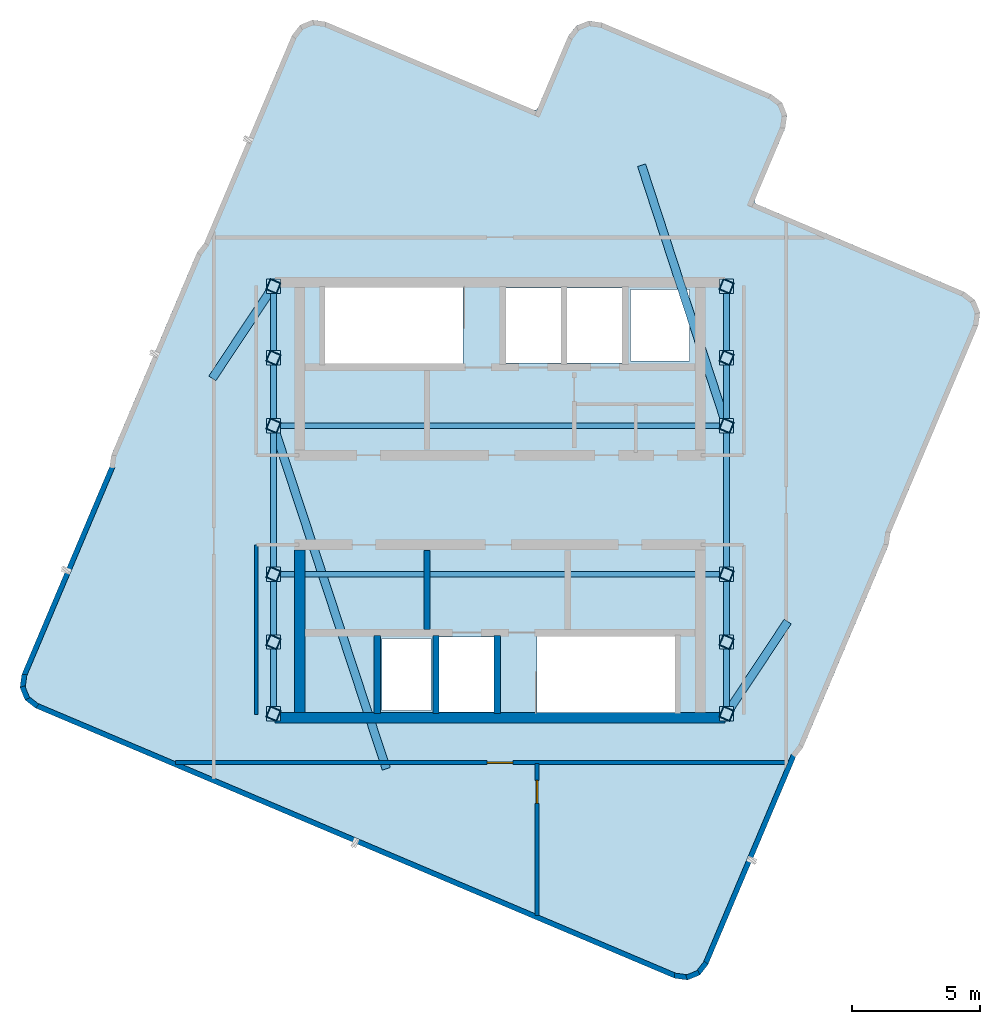
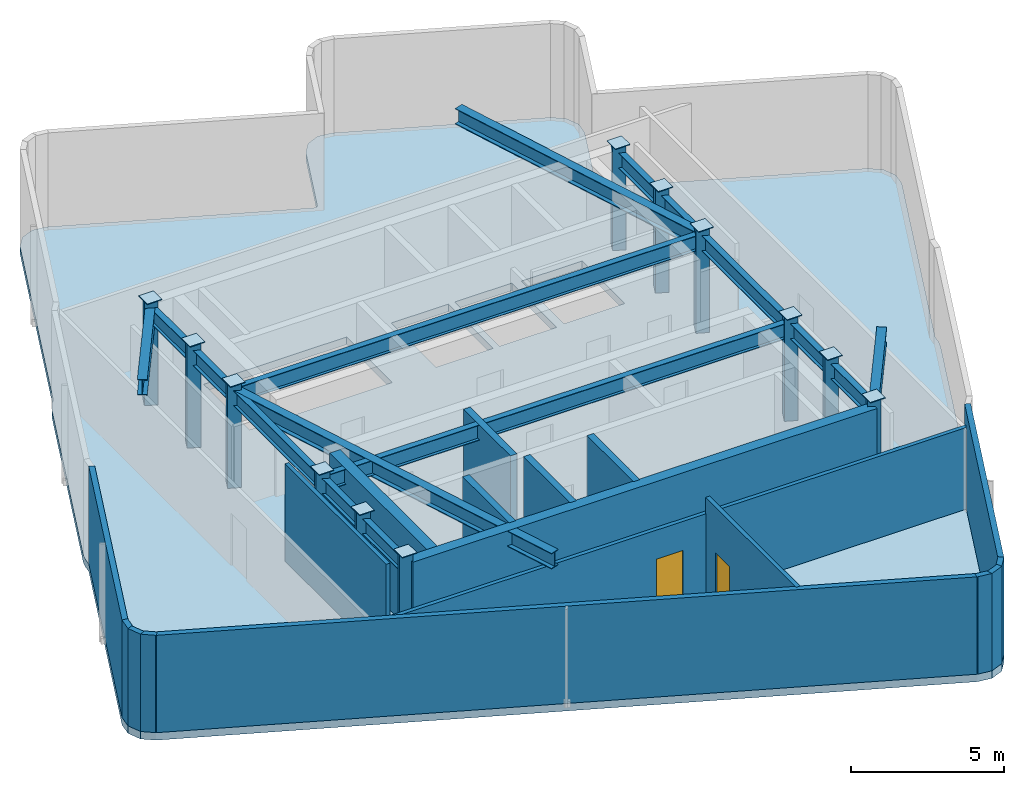
# One storey, part 1 of 4: 18 walls, 16 beams, 12 columns, 12 plates, 2 doors, 1 slab, 2 openings.
"""IFC4 building model written with IfcOpenShell, lengths in metres."""

from ifc_helpers import new_model, si_unit, direction, frame, frame_2d, origin, origin_2d, place, context, subcontext, project, spatial, polyline, rectangle, hollow_rectangle, i_section, outline, extrude, material, layer, layer_set, material_profile, profile_set, type_object, element, fill, save


model = new_model("IFC4")

# Units and contexts
model_context = context("Model", 3, precision=1e-05, world=origin(), true_north=direction((0.0, 1.0)))
body_context = subcontext(model_context, "Body", "Model", "MODEL_VIEW")
ifc_project = project(units=[si_unit("LENGTHUNIT", "METRE"), si_unit("AREAUNIT", "SQUARE_METRE"), si_unit("VOLUMEUNIT", "CUBIC_METRE"), si_unit("PLANEANGLEUNIT", "RADIAN"), si_unit("MASSUNIT", "GRAM", prefix="KILO")], contexts=[model_context])

# Site, building, storey
site_placement = place(None, origin())
site = spatial("IfcSite", under=ifc_project, at=site_placement, CompositionType="ELEMENT")
building_placement = place(site_placement, origin())
building = spatial("IfcBuilding", under=site, at=building_placement, Name="Solmarez Civic Tower", CompositionType="ELEMENT")
storey_placement = place(building_placement, frame((0.0, 0.0, 301.679931640625)))
storey = spatial("IfcBuildingStorey", under=building, at=storey_placement, Name="L81 Crown", CompositionType="ELEMENT", Elevation=301.679931640625)

# Columns
ifc_material_1 = material(Name="Steel S355", Category="steel")
ifc_material_profile_1 = material_profile(ifc_material_1, hollow_rectangle(XDim=0.449951171875, YDim=0.449951171875, WallThickness=0.02197265625, at=origin_2d()), Name="HSS450X450X22")
ifc_profile_set_1 = profile_set([ifc_material_profile_1], Name="Steel S355")
column_type = type_object("IfcColumnType", Name="COL-HSS450", PredefinedType="COLUMN", material=ifc_profile_set_1)
for number, where, z_axis, x_axis, name in (
    (1, (-8.85009765625, -5.550048828125, 0.0), (0.0, 0.0, 1.0), (0.389445480794, 0.921049519564, 0.0), "L81 Crown Structural Column HC1"),
    (2, (-8.85009765625, -2.89990234375, 0.0), (0.0, 0.0, 1.0), (0.389445480794, 0.921049519564, 0.0), "L81 Crown Structural Column HC2"),
    (3, (-8.85009765625, 2.89990234375, 0.0), (0.0, 0.0, 1.0), (0.389445480794, 0.921049519564, 0.0), "L81 Crown Structural Column HC3"),
    (4, (-8.85009765625, 5.550048828125, 0.0), (0.0, 0.0, 1.0), (0.389445480794, 0.921049519564, 0.0), "L81 Crown Structural Column HC4"),
    (5, (8.85009765625, -5.550048828125, 0.0), (0.0, 0.0, 1.0), (0.389445480794, 0.921049519564, 0.0), "L81 Crown Structural Column HC5"),
    (6, (8.85009765625, -2.89990234375, 0.0), (0.0, 0.0, 1.0), (0.389445480794, 0.921049519564, 0.0), "L81 Crown Structural Column HC6"),
    (7, (8.85009765625, 2.89990234375, 0.0), (0.0, 0.0, 1.0), (0.389445480794, 0.921049519564, 0.0), "L81 Crown Structural Column HC7"),
    (8, (8.85009765625, 5.550048828125, 0.0), (0.0, 0.0, 1.0), (0.389445480794, 0.921049519564, 0.0), "L81 Crown Structural Column HC8"),
    (9, (-8.85009765625, 8.35009765625, 0.0), (0.0, 0.0, 1.0), (0.389445480794, 0.921049519564, 0.0), "L81 Crown Structural Column HC9"),
    (10, (8.85009765625, -8.35009765625, 0.0), (0.0, 0.0, 1.0), (0.389445480794, 0.921049519564, 0.0), "L81 Crown Structural Column HC10"),
    (11, (8.85009765625, 8.35009765625, 0.0), (0.0, 0.0, 1.0), (0.389445480794, 0.921049519564, 0.0), "L81 Crown Structural Column HC11"),
    (12, (-8.85009765625, -8.35009765625, 0.0), (0.0, 0.0, 1.0), (0.389445480794, 0.921049519564, 0.0), "L81 Crown Structural Column HC12"),
):
    element("IfcColumn", number, at=place(storey_placement, frame(where, z_axis=z_axis, x_axis=x_axis)), inside=storey, type_object=column_type, Name=name, PredefinedType="COLUMN", context=body_context, shape_type="SweptSolid", body=[
        extrude(hollow_rectangle(XDim=0.449951171875, YDim=0.449951171875, WallThickness=0.02197265625, at=origin_2d()), origin(), (0.0, 0.0, 1.0), 4.14013671875),
    ])

# Beams
ifc_material_profile_2 = material_profile(ifc_material_1, i_section(OverallWidth=0.327880859375, OverallDepth=0.6220703125, WebThickness=0.015380859375, FlangeThickness=0.0244140625, at=origin_2d()), Name="W24X131")
ifc_profile_set_2 = profile_set([ifc_material_profile_2], Name="Steel S355")
beam_type_1 = type_object("IfcBeamType", Name="BM-PR-W24X131", PredefinedType="BEAM", material=ifc_profile_set_2)
beam_1_placement = place(storey_placement, frame((8.85009765625, 2.89990234375, 3.5791015625), z_axis=(-0.310085118895, 0.950708798234, 0.0), x_axis=(-0.950708798234, -0.310085118895, 0.0)))
element("IfcBeam", 13, at=beam_1_placement, inside=storey, type_object=beam_type_1, Name="L81 Crown Primary Floor Beam BM-L81 Crown-CR-E2", PredefinedType="BEAM", context=body_context, shape_type="SweptSolid", body=[
    extrude(i_section(OverallWidth=0.327880859375, OverallDepth=0.6220703125, WebThickness=0.015380859375, FlangeThickness=0.0244140625, at=origin_2d()), origin(), (0.0, 0.0, 1.0), 10.70703125),
])
beam_2_placement = place(storey_placement, frame((-8.85009765625, 8.35009765625, 3.5791015625), z_axis=(-0.55270262452, -0.833378550749, 0.0), x_axis=(0.833378550749, -0.55270262452, 0.0)))
element("IfcBeam", 14, at=beam_2_placement, inside=storey, type_object=beam_type_1, Name="L81 Crown Primary Floor Beam BM-L81 Crown-CR-N2", PredefinedType="BEAM", context=body_context, shape_type="SweptSolid", body=[
    extrude(i_section(OverallWidth=0.327880859375, OverallDepth=0.6220703125, WebThickness=0.015380859375, FlangeThickness=0.0244140625, at=origin_2d()), origin(), (0.0, 0.0, 1.0), 4.318603515625),
])
beam_3_placement = place(storey_placement, frame((-8.85009765625, 2.89990234375, 3.5791015625), z_axis=(0.312622298546, -0.949877517605, 0.0), x_axis=(0.949877517605, 0.312622298546, 0.0)))
element("IfcBeam", 15, at=beam_3_placement, inside=storey, type_object=beam_type_1, Name="L81 Crown Primary Floor Beam BM-L81 Crown-CR-W1", PredefinedType="BEAM", context=body_context, shape_type="SweptSolid", body=[
    extrude(i_section(OverallWidth=0.327880859375, OverallDepth=0.6220703125, WebThickness=0.015380859375, FlangeThickness=0.0244140625, at=origin_2d()), origin(), (0.0, 0.0, 1.0), 14.10693359375),
])
beam_4_placement = place(storey_placement, frame((8.85009765625, -8.35009765625, 3.5791015625), z_axis=(0.55270262452, 0.833378550749, 0.0), x_axis=(-0.833378550749, 0.55270262452, 0.0)))
element("IfcBeam", 16, at=beam_4_placement, inside=storey, type_object=beam_type_1, Name="L81 Crown Primary Floor Beam BM-L81 Crown-CR-S2", PredefinedType="BEAM", context=body_context, shape_type="SweptSolid", body=[
    extrude(i_section(OverallWidth=0.327880859375, OverallDepth=0.6220703125, WebThickness=0.015380859375, FlangeThickness=0.0244140625, at=origin_2d()), origin(), (0.0, 0.0, 1.0), 4.318603515625),
])
ifc_material_profile_3 = material_profile(ifc_material_1, i_section(OverallWidth=0.22900390625, OverallDepth=0.612060546875, WebThickness=0.011962890625, FlangeThickness=0.01953125, at=origin_2d()), Name="W24X84")
ifc_profile_set_3 = profile_set([ifc_material_profile_3], Name="Steel S355")
beam_type_2 = type_object("IfcBeamType", Name="BM-SP-W24X84", PredefinedType="SPANDREL", material=ifc_profile_set_3)
beam_5_placement = place(storey_placement, frame((-8.85009765625, -8.35009765625, 3.583984375), z_axis=(0.0, 1.0, 0.0), x_axis=(-1.0, 0.0, 0.0)))
element("IfcBeam", 17, at=beam_5_placement, inside=storey, type_object=beam_type_2, Name="L81 Crown Perimeter Spandrel Beam BM-L81 Crown-HC12-HC1", PredefinedType="SPANDREL", context=body_context, shape_type="SweptSolid", body=[
    extrude(i_section(OverallWidth=0.22900390625, OverallDepth=0.612060546875, WebThickness=0.011962890625, FlangeThickness=0.01953125, at=origin_2d()), origin(), (0.0, 0.0, 1.0), 2.800048828125),
])
beam_6_placement = place(storey_placement, frame((-8.85009765625, -5.550048828125, 3.583984375), z_axis=(0.0, 1.0, 0.0), x_axis=(-1.0, 0.0, 0.0)))
element("IfcBeam", 18, at=beam_6_placement, inside=storey, type_object=beam_type_2, Name="L81 Crown Perimeter Spandrel Beam BM-L81 Crown-HC1-HC2", PredefinedType="SPANDREL", context=body_context, shape_type="SweptSolid", body=[
    extrude(i_section(OverallWidth=0.22900390625, OverallDepth=0.612060546875, WebThickness=0.011962890625, FlangeThickness=0.01953125, at=origin_2d()), origin(), (0.0, 0.0, 1.0), 2.650146484375),
])
beam_7_placement = place(storey_placement, frame((-8.85009765625, -2.89990234375, 3.583984375), z_axis=(0.0, 1.0, 0.0), x_axis=(-1.0, 0.0, 0.0)))
element("IfcBeam", 19, at=beam_7_placement, inside=storey, type_object=beam_type_2, Name="L81 Crown Perimeter Spandrel Beam BM-L81 Crown-HC2-HC3", PredefinedType="SPANDREL", context=body_context, shape_type="SweptSolid", body=[
    extrude(i_section(OverallWidth=0.22900390625, OverallDepth=0.612060546875, WebThickness=0.011962890625, FlangeThickness=0.01953125, at=origin_2d()), origin(), (0.0, 0.0, 1.0), 5.7998046875),
])
beam_8_placement = place(storey_placement, frame((-8.85009765625, 2.89990234375, 3.583984375), z_axis=(0.0, 1.0, 0.0), x_axis=(-1.0, 0.0, 0.0)))
element("IfcBeam", 20, at=beam_8_placement, inside=storey, type_object=beam_type_2, Name="L81 Crown Perimeter Spandrel Beam BM-L81 Crown-HC3-HC4", PredefinedType="SPANDREL", context=body_context, shape_type="SweptSolid", body=[
    extrude(i_section(OverallWidth=0.22900390625, OverallDepth=0.612060546875, WebThickness=0.011962890625, FlangeThickness=0.01953125, at=origin_2d()), origin(), (0.0, 0.0, 1.0), 2.650146484375),
])
for number, where, z_axis, x_axis, name in (
    (21, (-8.85009765625, 5.550048828125, 3.583984375), (0.0, 1.0, 0.0), (-1.0, 0.0, 0.0), "L81 Crown Perimeter Spandrel Beam BM-L81 Crown-HC4-HC9"),
    (22, (8.85009765625, -8.35009765625, 3.583984375), (0.0, 1.0, 0.0), (-1.0, 0.0, 0.0), "L81 Crown Perimeter Spandrel Beam BM-L81 Crown-HC10-HC5"),
):
    element("IfcBeam", number, at=place(storey_placement, frame(where, z_axis=z_axis, x_axis=x_axis)), inside=storey, type_object=beam_type_2, Name=name, PredefinedType="SPANDREL", context=body_context, shape_type="SweptSolid", body=[
        extrude(i_section(OverallWidth=0.22900390625, OverallDepth=0.612060546875, WebThickness=0.011962890625, FlangeThickness=0.01953125, at=origin_2d()), origin(), (0.0, 0.0, 1.0), 2.800048828125),
    ])
beam_9_placement = place(storey_placement, frame((8.85009765625, -5.550048828125, 3.583984375), z_axis=(0.0, 1.0, 0.0), x_axis=(-1.0, 0.0, 0.0)))
element("IfcBeam", 23, at=beam_9_placement, inside=storey, type_object=beam_type_2, Name="L81 Crown Perimeter Spandrel Beam BM-L81 Crown-HC5-HC6", PredefinedType="SPANDREL", context=body_context, shape_type="SweptSolid", body=[
    extrude(i_section(OverallWidth=0.22900390625, OverallDepth=0.612060546875, WebThickness=0.011962890625, FlangeThickness=0.01953125, at=origin_2d()), origin(), (0.0, 0.0, 1.0), 2.650146484375),
])
beam_10_placement = place(storey_placement, frame((8.85009765625, -2.89990234375, 3.583984375), z_axis=(0.0, 1.0, 0.0), x_axis=(-1.0, 0.0, 0.0)))
element("IfcBeam", 24, at=beam_10_placement, inside=storey, type_object=beam_type_2, Name="L81 Crown Perimeter Spandrel Beam BM-L81 Crown-HC6-HC7", PredefinedType="SPANDREL", context=body_context, shape_type="SweptSolid", body=[
    extrude(i_section(OverallWidth=0.22900390625, OverallDepth=0.612060546875, WebThickness=0.011962890625, FlangeThickness=0.01953125, at=origin_2d()), origin(), (0.0, 0.0, 1.0), 5.7998046875),
])
beam_11_placement = place(storey_placement, frame((8.85009765625, 2.89990234375, 3.583984375), z_axis=(0.0, 1.0, 0.0), x_axis=(-1.0, 0.0, 0.0)))
element("IfcBeam", 25, at=beam_11_placement, inside=storey, type_object=beam_type_2, Name="L81 Crown Perimeter Spandrel Beam BM-L81 Crown-HC7-HC8", PredefinedType="SPANDREL", context=body_context, shape_type="SweptSolid", body=[
    extrude(i_section(OverallWidth=0.22900390625, OverallDepth=0.612060546875, WebThickness=0.011962890625, FlangeThickness=0.01953125, at=origin_2d()), origin(), (0.0, 0.0, 1.0), 2.650146484375),
])
beam_12_placement = place(storey_placement, frame((8.85009765625, 5.550048828125, 3.583984375), z_axis=(0.0, 1.0, 0.0), x_axis=(-1.0, 0.0, 0.0)))
element("IfcBeam", 26, at=beam_12_placement, inside=storey, type_object=beam_type_2, Name="L81 Crown Perimeter Spandrel Beam BM-L81 Crown-HC8-HC11", PredefinedType="SPANDREL", context=body_context, shape_type="SweptSolid", body=[
    extrude(i_section(OverallWidth=0.22900390625, OverallDepth=0.612060546875, WebThickness=0.011962890625, FlangeThickness=0.01953125, at=origin_2d()), origin(), (0.0, 0.0, 1.0), 2.800048828125),
])
for number, where, z_axis, x_axis, name in (
    (27, (-8.85009765625, -2.89990234375, 3.583984375), (1.0, 0.0, 0.0), (0.0, 1.0, 0.0), "L81 Crown Perimeter Spandrel Beam BM-L81 Crown-HC2-HC6"),
    (28, (-8.85009765625, 2.89990234375, 3.583984375), (1.0, 0.0, 0.0), (0.0, 1.0, 0.0), "L81 Crown Perimeter Spandrel Beam BM-L81 Crown-HC3-HC7"),
):
    element("IfcBeam", number, at=place(storey_placement, frame(where, z_axis=z_axis, x_axis=x_axis)), inside=storey, type_object=beam_type_2, Name=name, PredefinedType="SPANDREL", context=body_context, shape_type="SweptSolid", body=[
        extrude(i_section(OverallWidth=0.22900390625, OverallDepth=0.612060546875, WebThickness=0.011962890625, FlangeThickness=0.01953125, at=origin_2d()), origin(), (0.0, 0.0, 1.0), 17.7001953125),
    ])

# Plates
ifc_layer_1 = layer(ifc_material_1, 0.028076171875)
ifc_layer_set_1 = layer_set([ifc_layer_1], Name="Steel S355")
plate_type = type_object("IfcPlateType", Name="PLT-CAP-540", PredefinedType="USERDEFINED", material=ifc_layer_set_1)
for number, where, z_axis, x_axis, name in (
    (29, (-8.85009765625, -5.550048828125, 4.1259765625), (0.0, 0.0, 1.0), (1.0, 0.0, 0.0), "Steel Member End Cap Plate CAP-COL-L81 Crown-HC1"),
    (30, (-8.85009765625, -2.89990234375, 4.1259765625), (0.0, 0.0, 1.0), (1.0, 0.0, 0.0), "Steel Member End Cap Plate CAP-COL-L81 Crown-HC2"),
    (31, (-8.85009765625, 2.89990234375, 4.1259765625), (0.0, 0.0, 1.0), (1.0, 0.0, 0.0), "Steel Member End Cap Plate CAP-COL-L81 Crown-HC3"),
    (32, (-8.85009765625, 5.550048828125, 4.1259765625), (0.0, 0.0, 1.0), (1.0, 0.0, 0.0), "Steel Member End Cap Plate CAP-COL-L81 Crown-HC4"),
    (33, (8.85009765625, -5.550048828125, 4.1259765625), (0.0, 0.0, 1.0), (1.0, 0.0, 0.0), "Steel Member End Cap Plate CAP-COL-L81 Crown-HC5"),
    (34, (8.85009765625, -2.89990234375, 4.1259765625), (0.0, 0.0, 1.0), (1.0, 0.0, 0.0), "Steel Member End Cap Plate CAP-COL-L81 Crown-HC6"),
    (35, (8.85009765625, 2.89990234375, 4.1259765625), (0.0, 0.0, 1.0), (1.0, 0.0, 0.0), "Steel Member End Cap Plate CAP-COL-L81 Crown-HC7"),
    (36, (8.85009765625, 5.550048828125, 4.1259765625), (0.0, 0.0, 1.0), (1.0, 0.0, 0.0), "Steel Member End Cap Plate CAP-COL-L81 Crown-HC8"),
    (37, (-8.85009765625, 8.35009765625, 4.1259765625), (0.0, 0.0, 1.0), (1.0, 0.0, 0.0), "Steel Member End Cap Plate CAP-COL-L81 Crown-HC9"),
    (38, (8.85009765625, -8.35009765625, 4.1259765625), (0.0, 0.0, 1.0), (1.0, 0.0, 0.0), "Steel Member End Cap Plate CAP-COL-L81 Crown-HC10"),
    (39, (8.85009765625, 8.35009765625, 4.1259765625), (0.0, 0.0, 1.0), (1.0, 0.0, 0.0), "Steel Member End Cap Plate CAP-COL-L81 Crown-HC11"),
    (40, (-8.85009765625, -8.35009765625, 4.1259765625), (0.0, 0.0, 1.0), (1.0, 0.0, 0.0), "Steel Member End Cap Plate CAP-COL-L81 Crown-HC12"),
):
    element("IfcPlate", number, at=place(storey_placement, frame(where, z_axis=z_axis, x_axis=x_axis)), inside=storey, type_object=plate_type, Name=name, ObjectType="CAP_PLATE", PredefinedType="USERDEFINED", context=body_context, shape_type="SweptSolid", body=[
        extrude(rectangle(XDim=0.56005859375, YDim=0.56005859375, at=origin_2d()), origin(), (0.0, 0.0, 1.0), 0.028076171875),
    ])

# Slab
ifc_material_2 = material(Name="Concrete C50/60", Category="concrete")
ifc_layer_2 = layer(ifc_material_2, 0.300048828125)
ifc_layer_set_2 = layer_set([ifc_layer_2], Name="Concrete C50/60")
slab_type = type_object("IfcSlabType", Name="SLAB-CROWN-300", PredefinedType="FLOOR", material=ifc_layer_set_2)
slab_placement = place(storey_placement, frame((0.0, 0.0, -0.300048828125)))
element("IfcSlab", 41, at=slab_placement, inside=storey, type_object=slab_type, Name="L81 Crown Structural Slab", PredefinedType="FLOOR", context=body_context, shape_type="SweptSolid", body=[
    extrude(outline(polyline([(15.133056640625, -1.864013671875), (15.201904296875, -1.612060546875), (15.2451171875, -1.306884765625), (18.677978515625, 6.81396484375), (18.75, 7.325927734375), (18.554931640625, 7.805908203125), (18.14697265625, 8.1240234375), (10.02587890625, 11.55810546875), (9.94189453125, 11.6240234375), (9.9560546875, 11.72998046875), (11.139892578125, 14.529052734375), (11.2109375, 15.041015625), (11.01611328125, 15.52099609375), (10.60791015625, 15.839111328125), (3.972900390625, 18.64501953125), (3.4599609375, 18.716064453125), (2.97998046875, 18.52197265625), (2.662109375, 18.113037109375), (1.47900390625, 15.31494140625), (1.4130859375, 15.22998046875), (1.306884765625, 15.2451171875), (-6.81396484375, 18.677978515625), (-7.325927734375, 18.75), (-7.805908203125, 18.554931640625), (-8.1240234375, 18.14697265625), (-11.55810546875, 10.02587890625), (-11.748046875, 9.782958984375), (-11.8798828125, 9.55810546875), (-15.133056640625, 1.864013671875), (-15.201904296875, 1.612060546875), (-15.2451171875, 1.306884765625), (-18.677978515625, -6.81396484375), (-18.75, -7.325927734375), (-18.554931640625, -7.805908203125), (-18.14697265625, -8.1240234375), (6.81396484375, -18.677978515625), (7.325927734375, -18.75), (7.805908203125, -18.554931640625), (8.1240234375, -18.14697265625), (11.55810546875, -10.02587890625), (11.748046875, -9.782958984375), (11.8798828125, -9.55810546875), (15.133056640625, -1.864013671875)]), holes=[polyline([(-1.449951171875, 8.320068359375), (-6.85009765625, 8.320068359375), (-6.85009765625, 5.320068359375), (-1.449951171875, 5.320068359375), (-1.449951171875, 8.320068359375)]), polyline([(1.449951171875, -8.320068359375), (6.85009765625, -8.320068359375), (6.85009765625, -5.320068359375), (1.449951171875, -5.320068359375), (1.449951171875, -8.320068359375)]), polyline([(0.219970703125, 5.360107421875), (2.3798828125, 5.360107421875), (2.3798828125, 8.280029296875), (0.219970703125, 8.280029296875), (0.219970703125, 5.360107421875)]), polyline([(2.6201171875, 5.360107421875), (4.780029296875, 5.360107421875), (4.780029296875, 8.280029296875), (2.6201171875, 8.280029296875), (2.6201171875, 5.360107421875)]), polyline([(-2.3798828125, -8.280029296875), (-0.219970703125, -8.280029296875), (-0.219970703125, -5.360107421875), (-2.3798828125, -5.360107421875), (-2.3798828125, -8.280029296875)]), polyline([(5.10009765625, 5.419921875), (7.39990234375, 5.419921875), (7.39990234375, 8.219970703125), (5.10009765625, 8.219970703125), (5.10009765625, 5.419921875)]), polyline([(-4.60009765625, -8.219970703125), (-2.699951171875, -8.219970703125), (-2.699951171875, -5.419921875), (-4.60009765625, -5.419921875), (-4.60009765625, -8.219970703125)])]), origin(), (0.0, 0.0, 1.0), 0.300048828125),
])

# Walls
ifc_layer_3 = layer(ifc_material_2, 0.39990234375)
ifc_layer_set_3 = layer_set([ifc_layer_3], Name="Concrete C50/60")
wall_type_1 = type_object("IfcWallType", Name="WALL-CORE-400", PredefinedType="SHEAR", material=ifc_layer_set_3)
wall_1_placement = place(storey_placement, frame((8.780029296875, -8.510009765625, 0.0), z_axis=(0.0, 0.0, 1.0), x_axis=(-1.0, 0.0, 0.0)))
element("IfcWall", 42, at=wall_1_placement, inside=storey, type_object=wall_type_1, Name="L81 Crown Split-Core Structural Wall SCW-S-L81 Crown", PredefinedType="SHEAR", context=body_context, shape_type="SweptSolid", body=[
    extrude(rectangle(XDim=17.56005859375, YDim=0.39990234375, at=frame_2d((8.780029296875, 0.0))), origin(), (0.0, 0.0, 1.0), 3.89013671875),
])
wall_2_placement = place(storey_placement, frame((-7.820068359375, -8.31005859375, 0.0), z_axis=(0.0, 0.0, 1.0), x_axis=(0.0, 1.0, 0.0)))
element("IfcWall", 43, at=wall_2_placement, inside=storey, type_object=wall_type_1, Name="L81 Crown Split-Core Structural Wall SCW-W-L81 Crown", PredefinedType="SHEAR", context=body_context, shape_type="SweptSolid", body=[
    extrude(rectangle(XDim=6.360107421875, YDim=0.39990234375, at=frame_2d((3.18017578125, 0.0))), origin(), (0.0, 0.0, 1.0), 3.89013671875),
])
ifc_material_3 = material(Name="Precast concrete C40/50", Category="concrete")
ifc_layer_4 = layer(ifc_material_3, 0.199951171875)
ifc_layer_set_4 = layer_set([ifc_layer_4], Name="Precast concrete C40/50")
wall_type_2 = type_object("IfcWallType", Name="WALL-EXT-200", PredefinedType="SOLIDWALL", material=ifc_layer_set_4)
wall_3_placement = place(storey_placement, frame((11.48095703125, -9.951904296875, 0.0), z_axis=(0.0, 0.0, 1.0), x_axis=(-0.389505259475, -0.92102424118, 0.0)))
element("IfcWall", 44, at=wall_3_placement, inside=storey, type_object=wall_type_2, Name="L81 Crown Exterior Precast Wall 3", PredefinedType="SOLIDWALL", context=body_context, shape_type="SweptSolid", body=[
    extrude(rectangle(XDim=8.8671875, YDim=0.199951171875, at=frame_2d((4.43359375, 0.0))), origin(), (0.0, 0.0, 1.0), 3.89013671875),
])
wall_4_placement = place(storey_placement, frame((8.052001953125, -18.075927734375, 0.0), z_axis=(0.0, 0.0, 1.0), x_axis=(-0.613266470563, -0.789876089069, 0.0)))
element("IfcWall", 45, at=wall_4_placement, inside=storey, type_object=wall_type_2, Name="L81 Crown Exterior Precast Wall 4", PredefinedType="SOLIDWALL", context=body_context, shape_type="SweptSolid", body=[
    extrude(rectangle(XDim=0.526611328125, YDim=0.199951171875, at=frame_2d((0.26318359375, 0.0))), origin(), (0.0, 0.0, 1.0), 3.89013671875),
])
wall_5_placement = place(storey_placement, frame((7.76708984375, -18.462890625, 0.0), z_axis=(0.0, 0.0, 1.0), x_axis=(-0.926663227271, -0.375892621934, 0.0)))
element("IfcWall", 46, at=wall_5_placement, inside=storey, type_object=wall_type_2, Name="L81 Crown Exterior Precast Wall 5", PredefinedType="SOLIDWALL", context=body_context, shape_type="SweptSolid", body=[
    extrude(rectangle(XDim=0.513671875, YDim=0.199951171875, at=frame_2d((0.2568359375, 0.0))), origin(), (0.0, 0.0, 1.0), 3.89013671875),
])
wall_6_placement = place(storey_placement, frame((7.339111328125, -18.64990234375, 0.0), z_axis=(0.0, 0.0, 1.0), x_axis=(-0.99065777357, 0.136371462064, 0.0)))
element("IfcWall", 47, at=wall_6_placement, inside=storey, type_object=wall_type_2, Name="L81 Crown Exterior Precast Wall 6", PredefinedType="SOLIDWALL", context=body_context, shape_type="SweptSolid", body=[
    extrude(rectangle(XDim=0.528076171875, YDim=0.199951171875, at=frame_2d((0.26416015625, 0.0))), origin(), (0.0, 0.0, 1.0), 3.89013671875),
])
wall_7_placement = place(storey_placement, frame((6.864013671875, -18.591064453125, 0.0), z_axis=(0.0, 0.0, 1.0), x_axis=(-0.921043011302, 0.389460872658, 0.0)))
element("IfcWall", 48, at=wall_7_placement, inside=storey, type_object=wall_type_2, Name="L81 Crown Exterior Precast Wall 7", PredefinedType="SOLIDWALL", context=body_context, shape_type="SweptSolid", body=[
    extrude(rectangle(XDim=27.12451171875, YDim=0.199951171875, at=frame_2d((13.562255859375, 0.0))), origin(), (0.0, 0.0, 1.0), 3.89013671875),
])
wall_8_placement = place(storey_placement, frame((-18.075927734375, -8.052001953125, 0.0), z_axis=(0.0, 0.0, 1.0), x_axis=(-0.789876089069, 0.613266470563, 0.0)))
element("IfcWall", 49, at=wall_8_placement, inside=storey, type_object=wall_type_2, Name="L81 Crown Exterior Precast Wall 8", PredefinedType="SOLIDWALL", context=body_context, shape_type="SweptSolid", body=[
    extrude(rectangle(XDim=0.526611328125, YDim=0.199951171875, at=frame_2d((0.26318359375, 0.0))), origin(), (0.0, 0.0, 1.0), 3.89013671875),
])
wall_9_placement = place(storey_placement, frame((-18.462890625, -7.76708984375, 0.0), z_axis=(0.0, 0.0, 1.0), x_axis=(-0.375892621934, 0.926663227271, 0.0)))
element("IfcWall", 50, at=wall_9_placement, inside=storey, type_object=wall_type_2, Name="L81 Crown Exterior Precast Wall 9", PredefinedType="SOLIDWALL", context=body_context, shape_type="SweptSolid", body=[
    extrude(rectangle(XDim=0.513671875, YDim=0.199951171875, at=frame_2d((0.2568359375, 0.0))), origin(), (0.0, 0.0, 1.0), 3.89013671875),
])
wall_10_placement = place(storey_placement, frame((-18.64990234375, -7.339111328125, 0.0), z_axis=(0.0, 0.0, 1.0), x_axis=(0.136371462064, 0.99065777357, 0.0)))
element("IfcWall", 51, at=wall_10_placement, inside=storey, type_object=wall_type_2, Name="L81 Crown Exterior Precast Wall 10", PredefinedType="SOLIDWALL", context=body_context, shape_type="SweptSolid", body=[
    extrude(rectangle(XDim=0.528076171875, YDim=0.199951171875, at=frame_2d((0.26416015625, 0.0))), origin(), (0.0, 0.0, 1.0), 3.89013671875),
])
wall_11_placement = place(storey_placement, frame((-18.591064453125, -6.864013671875, 0.0), z_axis=(0.0, 0.0, 1.0), x_axis=(0.389435189284, 0.921053871035, 0.0)))
element("IfcWall", 52, at=wall_11_placement, inside=storey, type_object=wall_type_2, Name="L81 Crown Exterior Precast Wall 11", PredefinedType="SOLIDWALL", context=body_context, shape_type="SweptSolid", body=[
    extrude(rectangle(XDim=8.866943359375, YDim=0.199951171875, at=frame_2d((4.43359375, 0.0))), origin(), (0.0, 0.0, 1.0), 3.89013671875),
])
ifc_material_4 = material(Name="Gypsum Board Acoustic Steel-Stud Partition", Category="steel")
ifc_layer_5 = layer(ifc_material_4, 0.14990234375)
ifc_layer_set_5 = layer_set([ifc_layer_5], Name="Gypsum Board Acoustic Steel-Stud Partition")
wall_type_3 = type_object("IfcWallType", Name="WALL-INT-FIRE-150", PredefinedType="PARTITIONING", material=ifc_layer_set_5)
wall_12_placement = place(storey_placement, frame((-9.52001953125, -8.3798828125, 0.0), z_axis=(0.0, 0.0, 1.0), x_axis=(0.0, 1.0, 0.0)))
element("IfcWall", 53, at=wall_12_placement, inside=storey, type_object=wall_type_3, Name="L81 Crown Interior Partition CHW-L81 Crown-WS1", PredefinedType="PARTITIONING", context=body_context, shape_type="SweptSolid", body=[
    extrude(rectangle(XDim=6.6298828125, YDim=0.14990234375, at=frame_2d((3.31494140625, 0.0))), origin(), (0.0, 0.0, 1.0), 3.89013671875),
])

# Wall, opening, door
wall_13_placement = place(storey_placement, frame((11.280029296875, -10.260009765625, 0.0), z_axis=(0.0, 0.0, 1.0), x_axis=(-1.0, 0.0, 0.0)))
wall_13 = element("IfcWall", 54, at=wall_13_placement, inside=storey, type_object=wall_type_3, Name="L81 Crown Interior Partition PT-L81 Crown-S", PredefinedType="PARTITIONING", context=body_context, shape_type="SweptSolid", body=[
    extrude(rectangle(XDim=23.9521484375, YDim=0.14990234375, at=frame_2d((11.97607421875, 0.0))), origin(), (0.0, 0.0, 1.0), 3.260009765625),
])
opening_1_placement = place(wall_13_placement, frame((10.780029296875, 0.0, 0.0)))
opening_1 = element("IfcOpeningElement", 55, at=opening_1_placement, cuts=wall_13, Name="Opening D-04", PredefinedType="OPENING", context=body_context, shape_type="SweptSolid", body=[
    extrude(rectangle(XDim=1.0, YDim=2.10009765625, at=frame_2d((0.5, 1.050048828125))), frame((0.0, 0.0849609375, 0.0), z_axis=(0.0, -1.0, 0.0), x_axis=(1.0, 0.0, 0.0)), (0.0, 0.0, 1.0), 0.169921875),
])
ifc_material_5 = material(Name="Steel-Faced Acoustic Fire Door", Category="steel")
door_type_1 = type_object("IfcDoorType", Name="DOOR-FD60-1000", OperationType="NOTDEFINED", PredefinedType="DOOR", material=ifc_material_5)
door_1_placement = place(opening_1_placement, origin())
door_1 = element("IfcDoor", 56, at=door_1_placement, inside=storey, type_object=door_type_1, Name="L81 Crown Crown Electrical Switch Plant Room Door", OperationType="SINGLE_SWING_RIGHT", OverallHeight=2.10009765625, OverallWidth=1.0, PredefinedType="DOOR", context=body_context, shape_type="SweptSolid", body=[
    extrude(rectangle(XDim=1.0, YDim=2.10009765625, at=frame_2d((0.5, 1.050048828125))), frame((0.0, 0.02490234375, 0.0), z_axis=(0.0, -1.0, 0.0), x_axis=(1.0, 0.0, 0.0)), (0.0, 0.0, 1.0), 0.050048828125),
])
fill(opening_1, door_1)

wall_14_placement = place(storey_placement, frame((1.449951171875, -10.300048828125, 0.0), z_axis=(0.0, 0.0, 1.0), x_axis=(0.0, -1.0, 0.0)))
wall_14 = element("IfcWall", 57, at=wall_14_placement, inside=storey, type_object=wall_type_3, Name="L81 Crown Interior Partition PT-L81 Crown-SMID", PredefinedType="PARTITIONING", context=body_context, shape_type="SweptSolid", body=[
    extrude(rectangle(XDim=5.930908203125, YDim=0.14990234375, at=frame_2d((2.96533203125, 0.0))), origin(), (0.0, 0.0, 1.0), 3.89013671875),
])
opening_2_placement = place(wall_14_placement, frame((0.64990234375, 0.0, 0.0)))
opening_2 = element("IfcOpeningElement", 58, at=opening_2_placement, cuts=wall_14, Name="Opening D-09", PredefinedType="OPENING", context=body_context, shape_type="SweptSolid", body=[
    extrude(rectangle(XDim=0.89990234375, YDim=2.06005859375, at=frame_2d((0.449951171875, 1.030029296875))), frame((0.0, 0.0849609375, 0.0), z_axis=(0.0, -1.0, 0.0), x_axis=(1.0, 0.0, 0.0)), (0.0, 0.0, 1.0), 0.169921875),
])
ifc_material_6 = material(Name="Fire-Rated Service Core Door", Category="wood")
door_type_2 = type_object("IfcDoorType", Name="DOOR-FD60-900", OperationType="NOTDEFINED", PredefinedType="DOOR", material=ifc_material_6)
door_2_placement = place(opening_2_placement, origin())
door_2 = element("IfcDoor", 59, at=door_2_placement, inside=storey, type_object=door_type_2, Name="L81 Crown Switchgear Control Bay Door", OperationType="SINGLE_SWING_RIGHT", OverallHeight=2.06005859375, OverallWidth=0.89990234375, PredefinedType="DOOR", context=body_context, shape_type="SweptSolid", body=[
    extrude(rectangle(XDim=0.89990234375, YDim=2.06005859375, at=frame_2d((0.449951171875, 1.030029296875))), frame((0.0, 0.02490234375, 0.0), z_axis=(0.0, -1.0, 0.0), x_axis=(1.0, 0.0, 0.0)), (0.0, 0.0, 1.0), 0.050048828125),
])
fill(opening_2, door_2)

# Walls
ifc_layer_6 = layer(ifc_material_2, 0.300048828125)
ifc_layer_set_6 = layer_set([ifc_layer_6], Name="Concrete C50/60")
wall_type_4 = type_object("IfcWallType", Name="WALL-STR-300", PredefinedType="SOLIDWALL", material=ifc_layer_set_6)
for number, where, z_axis, x_axis, name in (
    (60, (-0.10009765625, -8.340087890625, 0.0), (0.0, 0.0, 1.0), (0.0, 1.0, 0.0), "L81 Crown Split-Core Structural Wall SHW-S1-L81 Crown"),
    (61, (-2.5, -8.340087890625, 0.0), (0.0, 0.0, 1.0), (0.0, 1.0, 0.0), "L81 Crown Split-Core Structural Wall SHW-S2-L81 Crown"),
    (62, (-4.800048828125, -8.340087890625, 0.0), (0.0, 0.0, 1.0), (0.0, 1.0, 0.0), "L81 Crown Split-Core Structural Wall SHW-S3-L81 Crown"),
):
    element("IfcWall", number, at=place(storey_placement, frame(where, z_axis=z_axis, x_axis=x_axis)), inside=storey, type_object=wall_type_4, Name=name, PredefinedType="SOLIDWALL", context=body_context, shape_type="SweptSolid", body=[
        extrude(rectangle(XDim=3.0400390625, YDim=0.25, at=frame_2d((1.52001953125, 0.0))), origin(), (0.0, 0.0, 1.0), 3.89013671875),
    ])
wall_15_placement = place(storey_placement, frame((-2.85009765625, -5.050048828125, 0.0), z_axis=(0.0, 0.0, 1.0), x_axis=(0.0, 1.0, 0.0)))
element("IfcWall", 63, at=wall_15_placement, inside=storey, type_object=wall_type_4, Name="L81 Crown Split-Core Structural Wall SHW-SL1-L81 Crown", PredefinedType="SOLIDWALL", context=body_context, shape_type="SweptSolid", body=[
    extrude(rectangle(XDim=3.070068359375, YDim=0.25, at=frame_2d((1.53515625, 0.0))), origin(), (0.0, 0.0, 1.0), 3.89013671875),
])

save(model, "model.ifc")
